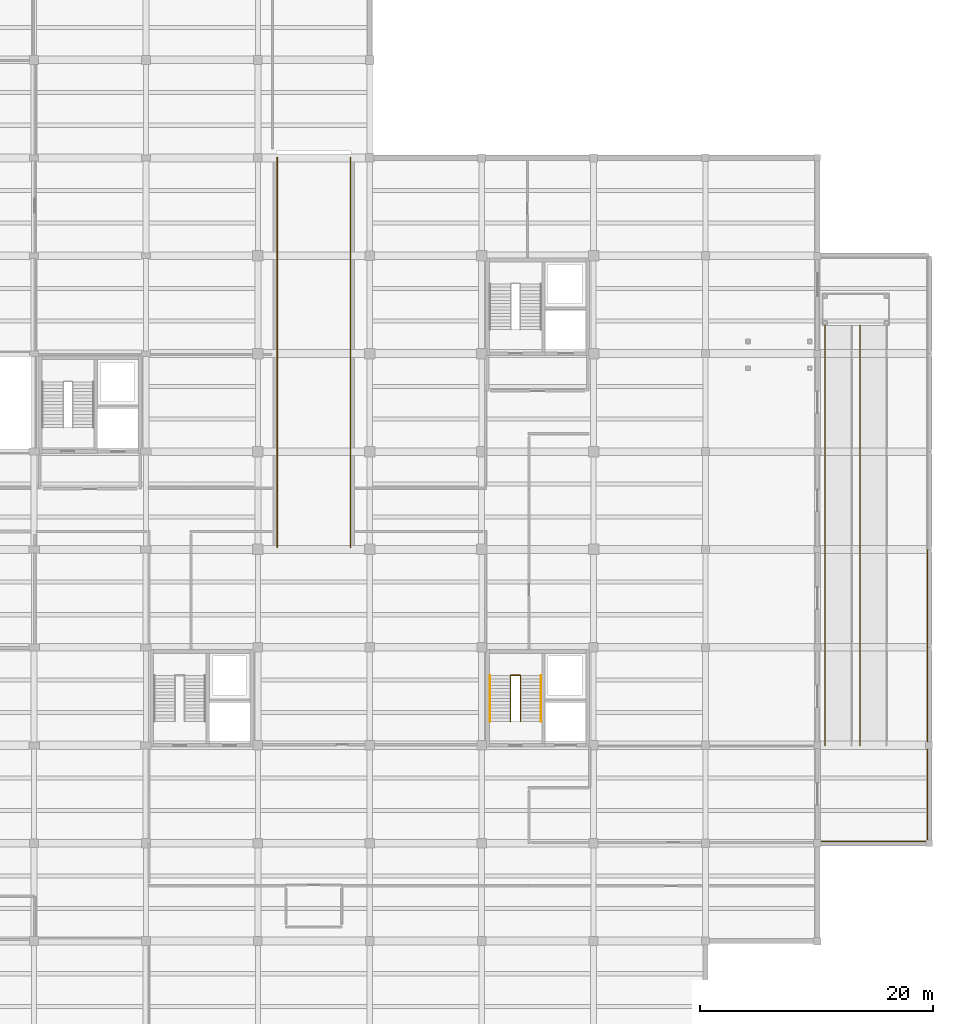
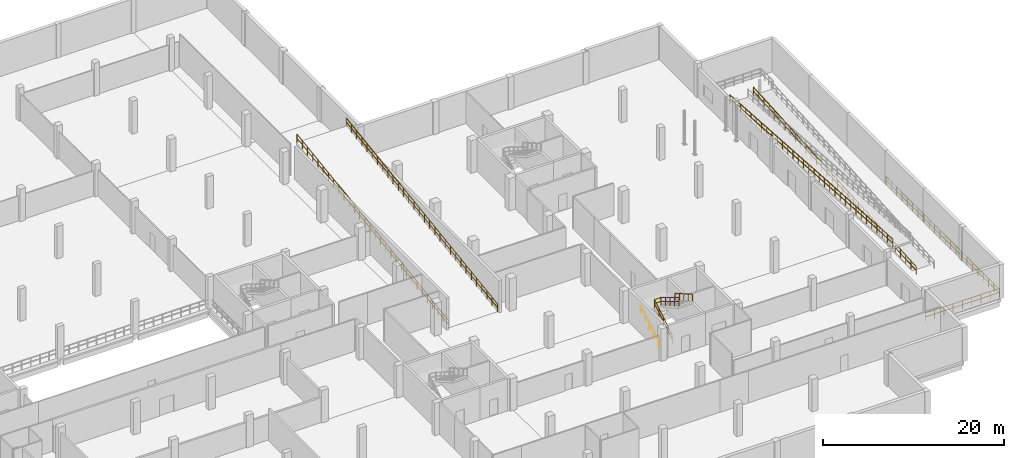
# One storey, part 29 of 30: 13 railings.
"""IFC4 building model written with IfcOpenShell, lengths in metres."""

from ifc_helpers import new_model, si_unit, direction, frame, origin, origin_2d, place, context, subcontext, project, spatial, circle, extrude, material, layer, layer_set, type_object, element, save


model = new_model("IFC4")

# Units and contexts
model_context = context("Model", 3, precision=1e-05, world=origin(), true_north=direction((0.0, 1.0)))
body_context = subcontext(model_context, "Body", "Model", "MODEL_VIEW")
ifc_project = project(units=[si_unit("LENGTHUNIT", "METRE"), si_unit("AREAUNIT", "SQUARE_METRE"), si_unit("VOLUMEUNIT", "CUBIC_METRE"), si_unit("PLANEANGLEUNIT", "RADIAN"), si_unit("MASSUNIT", "GRAM", prefix="KILO")], contexts=[model_context])

# Site, building, storey
site_placement = place(None, origin())
site = spatial("IfcSite", under=ifc_project, at=site_placement, CompositionType="ELEMENT")
building_placement = place(site_placement, origin())
building = spatial("IfcBuilding", under=site, at=building_placement, Name="Lornevale Opera House", CompositionType="ELEMENT")
storey_placement = place(building_placement, frame((0.0, 0.0, -4.800048828125)))
storey = spatial("IfcBuildingStorey", under=building, at=storey_placement, Name="B1", CompositionType="ELEMENT", Elevation=-4.800048828125)

# Railings
ifc_material = material(Name="Structural Steel CSA G40.21 Grade 350W (350 MPa)", Category="steel")
ifc_layer_1 = layer(ifc_material, 0.050048828125)
ifc_layer_set_1 = layer_set([ifc_layer_1], Name="Structural Steel CSA G40.21 Grade 350W (350 MPa)")
railing_type_1 = type_object("IfcRailingType", Name="Stair Well Guardrail 1100", PredefinedType="GUARDRAIL", material=ifc_layer_set_1)
railing_1_placement = place(storey_placement, frame((136.8798828125, 35.659912109375, 0.0)))
element("IfcRailing", 1, at=railing_1_placement, inside=storey, type_object=railing_type_1, Name="ST-36 Inner Well Guard F1", PredefinedType="GUARDRAIL", context=body_context, shape_type="SweptSolid", body=[
    extrude(circle(Radius=0.02392578125, at=origin_2d()), frame((0.0, 0.0, 1.076171875), z_axis=(0.0, 0.852846959695, 0.522160955394), x_axis=(-1.0, 0.0, 0.0)), (0.0, 0.0, 1.0), 4.5966796875),
    extrude(circle(Radius=0.02392578125, at=origin_2d()), frame((0.0, 0.0, 0.550048828125), z_axis=(0.0, 0.852846959695, 0.522160955394), x_axis=(-1.0, 0.0, 0.0)), (0.0, 0.0, 1.0), 4.5966796875),
    extrude(circle(Radius=0.02099609375, at=origin_2d()), origin(), (0.0, 0.0, 1.0), 1.052001953125),
    extrude(circle(Radius=0.02099609375, at=origin_2d()), frame((0.0, 0.97998046875, 0.60009765625)), (0.0, 0.0, 1.0), 1.052001953125),
    extrude(circle(Radius=0.02099609375, at=origin_2d()), frame((0.0, 1.9599609375, 1.2001953125)), (0.0, 0.0, 1.0), 1.052001953125),
    extrude(circle(Radius=0.02099609375, at=origin_2d()), frame((0.0, 2.940185546875, 1.800048828125)), (0.0, 0.0, 1.0), 1.052001953125),
    extrude(circle(Radius=0.02099609375, at=origin_2d()), frame((0.0, 3.920166015625, 2.400146484375)), (0.0, 0.0, 1.0), 1.052001953125),
])
railing_2_placement = place(storey_placement, frame((137.719970703125, 39.580078125, 2.400146484375)))
element("IfcRailing", 2, at=railing_2_placement, inside=storey, type_object=railing_type_1, Name="ST-36 Inner Well Guard F2", PredefinedType="GUARDRAIL", context=body_context, shape_type="SweptSolid", body=[
    extrude(circle(Radius=0.02392578125, at=origin_2d()), frame((0.0, 0.0, 1.076171875), z_axis=(0.0, -0.852870612257, 0.522122321634), x_axis=(1.0, 0.0, 0.0)), (0.0, 0.0, 1.0), 4.596435546875),
    extrude(circle(Radius=0.02392578125, at=origin_2d()), frame((0.0, 0.0, 0.550048828125), z_axis=(0.0, -0.852870612257, 0.522122321634), x_axis=(1.0, 0.0, 0.0)), (0.0, 0.0, 1.0), 4.596435546875),
    extrude(circle(Radius=0.02099609375, at=origin_2d()), origin(), (0.0, 0.0, 1.0), 1.052001953125),
    extrude(circle(Radius=0.02099609375, at=origin_2d()), frame((0.0, -0.97998046875, 0.60009765625)), (0.0, 0.0, 1.0), 1.052001953125),
    extrude(circle(Radius=0.02099609375, at=origin_2d()), frame((0.0, -1.9599609375, 1.199951171875)), (0.0, 0.0, 1.0), 1.052001953125),
    extrude(circle(Radius=0.02099609375, at=origin_2d()), frame((0.0, -2.940185546875, 1.7998046875)), (0.0, 0.0, 1.0), 1.052001953125),
    extrude(circle(Radius=0.02099609375, at=origin_2d()), frame((0.0, -3.920166015625, 2.39990234375)), (0.0, 0.0, 1.0), 1.052001953125),
])
railing_3_placement = place(storey_placement, frame((136.8798828125, 39.610107421875, 2.400146484375)))
element("IfcRailing", 3, at=railing_3_placement, inside=storey, type_object=railing_type_1, Name="ST-36 Half-Landing Slot Guard", PredefinedType="GUARDRAIL", context=body_context, shape_type="SweptSolid", body=[
    extrude(circle(Radius=0.02392578125, at=origin_2d()), frame((0.0, 0.0, 1.076171875), z_axis=(1.0, 0.0, 0.0), x_axis=(0.0, 1.0, 0.0)), (0.0, 0.0, 1.0), 0.840087890625),
    extrude(circle(Radius=0.02392578125, at=origin_2d()), frame((0.0, 0.0, 0.550048828125), z_axis=(1.0, 0.0, 0.0), x_axis=(0.0, 1.0, 0.0)), (0.0, 0.0, 1.0), 0.840087890625),
    extrude(circle(Radius=0.02099609375, at=origin_2d()), origin(), (0.0, 0.0, 1.0), 1.052001953125),
    extrude(circle(Radius=0.02099609375, at=origin_2d()), frame((0.840087890625, 0.0, 0.0)), (0.0, 0.0, 1.0), 1.052001953125),
])
ifc_layer_2 = layer(ifc_material, 0.06005859375)
ifc_layer_set_2 = layer_set([ifc_layer_2], Name="Structural Steel CSA G40.21 Grade 350W (350 MPa)")
railing_type_2 = type_object("IfcRailingType", Name="Terrace Tubular Guardrail 1120", PredefinedType="GUARDRAIL", material=ifc_layer_set_2)
railing_4_placement = place(storey_placement, frame((123.139892578125, 50.580078125, 0.0)))
element("IfcRailing", 4, at=railing_4_placement, inside=storey, type_object=railing_type_2, Name="RP-02 Ramp Guardrail 0227", PredefinedType="GUARDRAIL", context=body_context, shape_type="SweptSolid", body=[
    extrude(circle(Radius=0.02392578125, at=origin_2d()), frame((0.0, 0.0, 1.09619140625), z_axis=(0.0, 0.989866263485, 0.142002747909), x_axis=(-1.0, 0.0, 0.0)), (0.0, 0.0, 1.0), 33.802490234375),
    extrude(circle(Radius=0.02392578125, at=origin_2d()), frame((0.0, 0.0, 0.56005859375), z_axis=(0.0, 0.989866263485, 0.142002747909), x_axis=(-1.0, 0.0, 0.0)), (0.0, 0.0, 1.0), 33.802490234375),
    extrude(circle(Radius=0.02099609375, at=origin_2d()), origin(), (0.0, 0.0, 1.0), 1.072021484375),
    extrude(circle(Radius=0.02099609375, at=origin_2d()), frame((0.0, 1.15380859375, 0.16552734375)), (0.0, 0.0, 1.0), 1.072021484375),
    extrude(circle(Radius=0.02099609375, at=origin_2d()), frame((0.0, 2.3076171875, 0.3310546875)), (0.0, 0.0, 1.0), 1.072021484375),
    extrude(circle(Radius=0.02099609375, at=origin_2d()), frame((0.0, 3.46142578125, 0.49658203125)), (0.0, 0.0, 1.0), 1.072021484375),
    extrude(circle(Radius=0.02099609375, at=origin_2d()), frame((0.0, 4.615234375, 0.662109375)), (0.0, 0.0, 1.0), 1.072021484375),
    extrude(circle(Radius=0.02099609375, at=origin_2d()), frame((0.0, 5.76904296875, 0.82763671875)), (0.0, 0.0, 1.0), 1.072021484375),
    extrude(circle(Radius=0.02099609375, at=origin_2d()), frame((0.0, 6.9228515625, 0.9931640625)), (0.0, 0.0, 1.0), 1.072021484375),
    extrude(circle(Radius=0.02099609375, at=origin_2d()), frame((0.0, 8.07666015625, 1.15869140625)), (0.0, 0.0, 1.0), 1.072021484375),
    extrude(circle(Radius=0.02099609375, at=origin_2d()), frame((0.0, 9.230224609375, 1.32421875)), (0.0, 0.0, 1.0), 1.072021484375),
    extrude(circle(Radius=0.02099609375, at=origin_2d()), frame((0.0, 10.384033203125, 1.48974609375)), (0.0, 0.0, 1.0), 1.072021484375),
    extrude(circle(Radius=0.02099609375, at=origin_2d()), frame((0.0, 11.537841796875, 1.6552734375)), (0.0, 0.0, 1.0), 1.072021484375),
    extrude(circle(Radius=0.02099609375, at=origin_2d()), frame((0.0, 12.691650390625, 1.82080078125)), (0.0, 0.0, 1.0), 1.072021484375),
    extrude(circle(Radius=0.02099609375, at=origin_2d()), frame((0.0, 13.845458984375, 1.986328125)), (0.0, 0.0, 1.0), 1.072021484375),
    extrude(circle(Radius=0.02099609375, at=origin_2d()), frame((0.0, 14.999267578125, 2.15185546875)), (0.0, 0.0, 1.0), 1.072021484375),
    extrude(circle(Radius=0.02099609375, at=origin_2d()), frame((0.0, 16.153076171875, 2.3173828125)), (0.0, 0.0, 1.0), 1.072021484375),
    extrude(circle(Radius=0.02099609375, at=origin_2d()), frame((0.0, 17.306884765625, 2.482666015625)), (0.0, 0.0, 1.0), 1.072021484375),
    extrude(circle(Radius=0.02099609375, at=origin_2d()), frame((0.0, 18.460693359375, 2.648193359375)), (0.0, 0.0, 1.0), 1.072021484375),
    extrude(circle(Radius=0.02099609375, at=origin_2d()), frame((0.0, 19.614501953125, 2.813720703125)), (0.0, 0.0, 1.0), 1.072021484375),
    extrude(circle(Radius=0.02099609375, at=origin_2d()), frame((0.0, 20.768310546875, 2.979248046875)), (0.0, 0.0, 1.0), 1.072021484375),
    extrude(circle(Radius=0.02099609375, at=origin_2d()), frame((0.0, 21.922119140625, 3.144775390625)), (0.0, 0.0, 1.0), 1.072021484375),
    extrude(circle(Radius=0.02099609375, at=origin_2d()), frame((0.0, 23.075927734375, 3.310302734375)), (0.0, 0.0, 1.0), 1.072021484375),
    extrude(circle(Radius=0.02099609375, at=origin_2d()), frame((0.0, 24.229736328125, 3.475830078125)), (0.0, 0.0, 1.0), 1.072021484375),
    extrude(circle(Radius=0.02099609375, at=origin_2d()), frame((0.0, 25.38330078125, 3.641357421875)), (0.0, 0.0, 1.0), 1.072021484375),
    extrude(circle(Radius=0.02099609375, at=origin_2d()), frame((0.0, 26.537109375, 3.806884765625)), (0.0, 0.0, 1.0), 1.072021484375),
    extrude(circle(Radius=0.02099609375, at=origin_2d()), frame((0.0, 27.69091796875, 3.972412109375)), (0.0, 0.0, 1.0), 1.072021484375),
    extrude(circle(Radius=0.02099609375, at=origin_2d()), frame((0.0, 28.8447265625, 4.137939453125)), (0.0, 0.0, 1.0), 1.072021484375),
    extrude(circle(Radius=0.02099609375, at=origin_2d()), frame((0.0, 29.99853515625, 4.303466796875)), (0.0, 0.0, 1.0), 1.072021484375),
    extrude(circle(Radius=0.02099609375, at=origin_2d()), frame((0.0, 31.15234375, 4.468994140625)), (0.0, 0.0, 1.0), 1.072021484375),
    extrude(circle(Radius=0.02099609375, at=origin_2d()), frame((0.0, 32.30615234375, 4.634521484375)), (0.0, 0.0, 1.0), 1.072021484375),
    extrude(circle(Radius=0.02099609375, at=origin_2d()), frame((0.0, 33.4599609375, 4.800048828125)), (0.0, 0.0, 1.0), 1.072021484375),
])
railing_5_placement = place(storey_placement, frame((116.860107421875, 50.580078125, 0.0)))
element("IfcRailing", 5, at=railing_5_placement, inside=storey, type_object=railing_type_2, Name="RP-02 Ramp Guardrail 0228", PredefinedType="GUARDRAIL", context=body_context, shape_type="SweptSolid", body=[
    extrude(circle(Radius=0.02392578125, at=origin_2d()), frame((0.0, 0.0, 1.09619140625), z_axis=(0.0, 0.989866263485, 0.142002747909), x_axis=(-1.0, 0.0, 0.0)), (0.0, 0.0, 1.0), 33.802490234375),
    extrude(circle(Radius=0.02392578125, at=origin_2d()), frame((0.0, 0.0, 0.56005859375), z_axis=(0.0, 0.989866263485, 0.142002747909), x_axis=(-1.0, 0.0, 0.0)), (0.0, 0.0, 1.0), 33.802490234375),
    extrude(circle(Radius=0.02099609375, at=origin_2d()), origin(), (0.0, 0.0, 1.0), 1.072021484375),
    extrude(circle(Radius=0.02099609375, at=origin_2d()), frame((0.0, 1.15380859375, 0.16552734375)), (0.0, 0.0, 1.0), 1.072021484375),
    extrude(circle(Radius=0.02099609375, at=origin_2d()), frame((0.0, 2.3076171875, 0.3310546875)), (0.0, 0.0, 1.0), 1.072021484375),
    extrude(circle(Radius=0.02099609375, at=origin_2d()), frame((0.0, 3.46142578125, 0.49658203125)), (0.0, 0.0, 1.0), 1.072021484375),
    extrude(circle(Radius=0.02099609375, at=origin_2d()), frame((0.0, 4.615234375, 0.662109375)), (0.0, 0.0, 1.0), 1.072021484375),
    extrude(circle(Radius=0.02099609375, at=origin_2d()), frame((0.0, 5.76904296875, 0.82763671875)), (0.0, 0.0, 1.0), 1.072021484375),
    extrude(circle(Radius=0.02099609375, at=origin_2d()), frame((0.0, 6.9228515625, 0.9931640625)), (0.0, 0.0, 1.0), 1.072021484375),
    extrude(circle(Radius=0.02099609375, at=origin_2d()), frame((0.0, 8.07666015625, 1.15869140625)), (0.0, 0.0, 1.0), 1.072021484375),
    extrude(circle(Radius=0.02099609375, at=origin_2d()), frame((0.0, 9.230224609375, 1.32421875)), (0.0, 0.0, 1.0), 1.072021484375),
    extrude(circle(Radius=0.02099609375, at=origin_2d()), frame((0.0, 10.384033203125, 1.48974609375)), (0.0, 0.0, 1.0), 1.072021484375),
    extrude(circle(Radius=0.02099609375, at=origin_2d()), frame((0.0, 11.537841796875, 1.6552734375)), (0.0, 0.0, 1.0), 1.072021484375),
    extrude(circle(Radius=0.02099609375, at=origin_2d()), frame((0.0, 12.691650390625, 1.82080078125)), (0.0, 0.0, 1.0), 1.072021484375),
    extrude(circle(Radius=0.02099609375, at=origin_2d()), frame((0.0, 13.845458984375, 1.986328125)), (0.0, 0.0, 1.0), 1.072021484375),
    extrude(circle(Radius=0.02099609375, at=origin_2d()), frame((0.0, 14.999267578125, 2.15185546875)), (0.0, 0.0, 1.0), 1.072021484375),
    extrude(circle(Radius=0.02099609375, at=origin_2d()), frame((0.0, 16.153076171875, 2.3173828125)), (0.0, 0.0, 1.0), 1.072021484375),
    extrude(circle(Radius=0.02099609375, at=origin_2d()), frame((0.0, 17.306884765625, 2.482666015625)), (0.0, 0.0, 1.0), 1.072021484375),
    extrude(circle(Radius=0.02099609375, at=origin_2d()), frame((0.0, 18.460693359375, 2.648193359375)), (0.0, 0.0, 1.0), 1.072021484375),
    extrude(circle(Radius=0.02099609375, at=origin_2d()), frame((0.0, 19.614501953125, 2.813720703125)), (0.0, 0.0, 1.0), 1.072021484375),
    extrude(circle(Radius=0.02099609375, at=origin_2d()), frame((0.0, 20.768310546875, 2.979248046875)), (0.0, 0.0, 1.0), 1.072021484375),
    extrude(circle(Radius=0.02099609375, at=origin_2d()), frame((0.0, 21.922119140625, 3.144775390625)), (0.0, 0.0, 1.0), 1.072021484375),
    extrude(circle(Radius=0.02099609375, at=origin_2d()), frame((0.0, 23.075927734375, 3.310302734375)), (0.0, 0.0, 1.0), 1.072021484375),
    extrude(circle(Radius=0.02099609375, at=origin_2d()), frame((0.0, 24.229736328125, 3.475830078125)), (0.0, 0.0, 1.0), 1.072021484375),
    extrude(circle(Radius=0.02099609375, at=origin_2d()), frame((0.0, 25.38330078125, 3.641357421875)), (0.0, 0.0, 1.0), 1.072021484375),
    extrude(circle(Radius=0.02099609375, at=origin_2d()), frame((0.0, 26.537109375, 3.806884765625)), (0.0, 0.0, 1.0), 1.072021484375),
    extrude(circle(Radius=0.02099609375, at=origin_2d()), frame((0.0, 27.69091796875, 3.972412109375)), (0.0, 0.0, 1.0), 1.072021484375),
    extrude(circle(Radius=0.02099609375, at=origin_2d()), frame((0.0, 28.8447265625, 4.137939453125)), (0.0, 0.0, 1.0), 1.072021484375),
    extrude(circle(Radius=0.02099609375, at=origin_2d()), frame((0.0, 29.99853515625, 4.303466796875)), (0.0, 0.0, 1.0), 1.072021484375),
    extrude(circle(Radius=0.02099609375, at=origin_2d()), frame((0.0, 31.15234375, 4.468994140625)), (0.0, 0.0, 1.0), 1.072021484375),
    extrude(circle(Radius=0.02099609375, at=origin_2d()), frame((0.0, 32.30615234375, 4.634521484375)), (0.0, 0.0, 1.0), 1.072021484375),
    extrude(circle(Radius=0.02099609375, at=origin_2d()), frame((0.0, 33.4599609375, 4.800048828125)), (0.0, 0.0, 1.0), 1.072021484375),
])
railing_6_placement = place(storey_placement, frame((166.860107421875, 33.580078125, 0.0)))
element("IfcRailing", 6, at=railing_6_placement, inside=storey, type_object=railing_type_2, Name="RP-03 Ramp Guardrail 0230", PredefinedType="GUARDRAIL", context=body_context, shape_type="SweptSolid", body=[
    extrude(circle(Radius=0.02392578125, at=origin_2d()), frame((0.0, 0.0, 1.09619140625), z_axis=(0.0, 0.997789791153, 0.066449474575), x_axis=(-1.0, 0.0, 0.0)), (0.0, 0.0, 1.0), 36.119873046875),
    extrude(circle(Radius=0.02392578125, at=origin_2d()), frame((0.0, 0.0, 0.56005859375), z_axis=(0.0, 0.997789791153, 0.066449474575), x_axis=(-1.0, 0.0, 0.0)), (0.0, 0.0, 1.0), 36.119873046875),
    extrude(circle(Radius=0.02099609375, at=origin_2d()), origin(), (0.0, 0.0, 1.0), 1.072021484375),
    extrude(circle(Radius=0.02099609375, at=origin_2d()), frame((0.0, 1.16259765625, 0.077392578125)), (0.0, 0.0, 1.0), 1.072021484375),
    extrude(circle(Radius=0.02099609375, at=origin_2d()), frame((0.0, 2.3251953125, 0.15478515625)), (0.0, 0.0, 1.0), 1.072021484375),
    extrude(circle(Radius=0.02099609375, at=origin_2d()), frame((0.0, 3.48779296875, 0.232177734375)), (0.0, 0.0, 1.0), 1.072021484375),
    extrude(circle(Radius=0.02099609375, at=origin_2d()), frame((0.0, 4.650390625, 0.309814453125)), (0.0, 0.0, 1.0), 1.072021484375),
    extrude(circle(Radius=0.02099609375, at=origin_2d()), frame((0.0, 5.81298828125, 0.38720703125)), (0.0, 0.0, 1.0), 1.072021484375),
    extrude(circle(Radius=0.02099609375, at=origin_2d()), frame((0.0, 6.9755859375, 0.464599609375)), (0.0, 0.0, 1.0), 1.072021484375),
    extrude(circle(Radius=0.02099609375, at=origin_2d()), frame((0.0, 8.13818359375, 0.5419921875)), (0.0, 0.0, 1.0), 1.072021484375),
    extrude(circle(Radius=0.02099609375, at=origin_2d()), frame((0.0, 9.300537109375, 0.619384765625)), (0.0, 0.0, 1.0), 1.072021484375),
    extrude(circle(Radius=0.02099609375, at=origin_2d()), frame((0.0, 10.463134765625, 0.69677734375)), (0.0, 0.0, 1.0), 1.072021484375),
    extrude(circle(Radius=0.02099609375, at=origin_2d()), frame((0.0, 11.625732421875, 0.774169921875)), (0.0, 0.0, 1.0), 1.072021484375),
    extrude(circle(Radius=0.02099609375, at=origin_2d()), frame((0.0, 12.788330078125, 0.8515625)), (0.0, 0.0, 1.0), 1.072021484375),
    extrude(circle(Radius=0.02099609375, at=origin_2d()), frame((0.0, 13.950927734375, 0.92919921875)), (0.0, 0.0, 1.0), 1.072021484375),
    extrude(circle(Radius=0.02099609375, at=origin_2d()), frame((0.0, 15.113525390625, 1.006591796875)), (0.0, 0.0, 1.0), 1.072021484375),
    extrude(circle(Radius=0.02099609375, at=origin_2d()), frame((0.0, 16.276123046875, 1.083984375)), (0.0, 0.0, 1.0), 1.072021484375),
    extrude(circle(Radius=0.02099609375, at=origin_2d()), frame((0.0, 17.438720703125, 1.161376953125)), (0.0, 0.0, 1.0), 1.072021484375),
    extrude(circle(Radius=0.02099609375, at=origin_2d()), frame((0.0, 18.601318359375, 1.23876953125)), (0.0, 0.0, 1.0), 1.072021484375),
    extrude(circle(Radius=0.02099609375, at=origin_2d()), frame((0.0, 19.763916015625, 1.316162109375)), (0.0, 0.0, 1.0), 1.072021484375),
    extrude(circle(Radius=0.02099609375, at=origin_2d()), frame((0.0, 20.926513671875, 1.3935546875)), (0.0, 0.0, 1.0), 1.072021484375),
    extrude(circle(Radius=0.02099609375, at=origin_2d()), frame((0.0, 22.089111328125, 1.470947265625)), (0.0, 0.0, 1.0), 1.072021484375),
    extrude(circle(Radius=0.02099609375, at=origin_2d()), frame((0.0, 23.251708984375, 1.548583984375)), (0.0, 0.0, 1.0), 1.072021484375),
    extrude(circle(Radius=0.02099609375, at=origin_2d()), frame((0.0, 24.414306640625, 1.6259765625)), (0.0, 0.0, 1.0), 1.072021484375),
    extrude(circle(Radius=0.02099609375, at=origin_2d()), frame((0.0, 25.576904296875, 1.703369140625)), (0.0, 0.0, 1.0), 1.072021484375),
    extrude(circle(Radius=0.02099609375, at=origin_2d()), frame((0.0, 26.739501953125, 1.78076171875)), (0.0, 0.0, 1.0), 1.072021484375),
    extrude(circle(Radius=0.02099609375, at=origin_2d()), frame((0.0, 27.90185546875, 1.858154296875)), (0.0, 0.0, 1.0), 1.072021484375),
    extrude(circle(Radius=0.02099609375, at=origin_2d()), frame((0.0, 29.064453125, 1.935546875)), (0.0, 0.0, 1.0), 1.072021484375),
    extrude(circle(Radius=0.02099609375, at=origin_2d()), frame((0.0, 30.22705078125, 2.012939453125)), (0.0, 0.0, 1.0), 1.072021484375),
    extrude(circle(Radius=0.02099609375, at=origin_2d()), frame((0.0, 31.3896484375, 2.09033203125)), (0.0, 0.0, 1.0), 1.072021484375),
    extrude(circle(Radius=0.02099609375, at=origin_2d()), frame((0.0, 32.55224609375, 2.16796875)), (0.0, 0.0, 1.0), 1.072021484375),
    extrude(circle(Radius=0.02099609375, at=origin_2d()), frame((0.0, 33.71484375, 2.245361328125)), (0.0, 0.0, 1.0), 1.072021484375),
    extrude(circle(Radius=0.02099609375, at=origin_2d()), frame((0.0, 34.87744140625, 2.32275390625)), (0.0, 0.0, 1.0), 1.072021484375),
    extrude(circle(Radius=0.02099609375, at=origin_2d()), frame((0.0, 36.0400390625, 2.400146484375)), (0.0, 0.0, 1.0), 1.072021484375),
])
railing_7_placement = place(storey_placement, frame((163.860107421875, 69.6201171875, 2.400146484375)))
element("IfcRailing", 7, at=railing_7_placement, inside=storey, type_object=railing_type_2, Name="RP-04 Ramp Guardrail 0231", PredefinedType="GUARDRAIL", context=body_context, shape_type="SweptSolid", body=[
    extrude(circle(Radius=0.02392578125, at=origin_2d()), frame((0.0, 0.0, 1.09619140625), z_axis=(0.0, -0.997790239281, 0.066442745239), x_axis=(1.0, 0.0, 0.0)), (0.0, 0.0, 1.0), 36.119873046875),
    extrude(circle(Radius=0.02392578125, at=origin_2d()), frame((0.0, 0.0, 0.56005859375), z_axis=(0.0, -0.997790239281, 0.066442745239), x_axis=(1.0, 0.0, 0.0)), (0.0, 0.0, 1.0), 36.119873046875),
    extrude(circle(Radius=0.02099609375, at=origin_2d()), origin(), (0.0, 0.0, 1.0), 1.072021484375),
    extrude(circle(Radius=0.02099609375, at=origin_2d()), frame((0.0, -1.16259765625, 0.077392578125)), (0.0, 0.0, 1.0), 1.072021484375),
    extrude(circle(Radius=0.02099609375, at=origin_2d()), frame((0.0, -2.3251953125, 0.15478515625)), (0.0, 0.0, 1.0), 1.072021484375),
    extrude(circle(Radius=0.02099609375, at=origin_2d()), frame((0.0, -3.48779296875, 0.232177734375)), (0.0, 0.0, 1.0), 1.072021484375),
    extrude(circle(Radius=0.02099609375, at=origin_2d()), frame((0.0, -4.650390625, 0.3095703125)), (0.0, 0.0, 1.0), 1.072021484375),
    extrude(circle(Radius=0.02099609375, at=origin_2d()), frame((0.0, -5.81298828125, 0.386962890625)), (0.0, 0.0, 1.0), 1.072021484375),
    extrude(circle(Radius=0.02099609375, at=origin_2d()), frame((0.0, -6.9755859375, 0.464599609375)), (0.0, 0.0, 1.0), 1.072021484375),
    extrude(circle(Radius=0.02099609375, at=origin_2d()), frame((0.0, -8.13818359375, 0.5419921875)), (0.0, 0.0, 1.0), 1.072021484375),
    extrude(circle(Radius=0.02099609375, at=origin_2d()), frame((0.0, -9.300537109375, 0.619384765625)), (0.0, 0.0, 1.0), 1.072021484375),
    extrude(circle(Radius=0.02099609375, at=origin_2d()), frame((0.0, -10.463134765625, 0.69677734375)), (0.0, 0.0, 1.0), 1.072021484375),
    extrude(circle(Radius=0.02099609375, at=origin_2d()), frame((0.0, -11.625732421875, 0.774169921875)), (0.0, 0.0, 1.0), 1.072021484375),
    extrude(circle(Radius=0.02099609375, at=origin_2d()), frame((0.0, -12.788330078125, 0.8515625)), (0.0, 0.0, 1.0), 1.072021484375),
    extrude(circle(Radius=0.02099609375, at=origin_2d()), frame((0.0, -13.950927734375, 0.928955078125)), (0.0, 0.0, 1.0), 1.072021484375),
    extrude(circle(Radius=0.02099609375, at=origin_2d()), frame((0.0, -15.113525390625, 1.00634765625)), (0.0, 0.0, 1.0), 1.072021484375),
    extrude(circle(Radius=0.02099609375, at=origin_2d()), frame((0.0, -16.276123046875, 1.083740234375)), (0.0, 0.0, 1.0), 1.072021484375),
    extrude(circle(Radius=0.02099609375, at=origin_2d()), frame((0.0, -17.438720703125, 1.1611328125)), (0.0, 0.0, 1.0), 1.072021484375),
    extrude(circle(Radius=0.02099609375, at=origin_2d()), frame((0.0, -18.601318359375, 1.23876953125)), (0.0, 0.0, 1.0), 1.072021484375),
    extrude(circle(Radius=0.02099609375, at=origin_2d()), frame((0.0, -19.763916015625, 1.316162109375)), (0.0, 0.0, 1.0), 1.072021484375),
    extrude(circle(Radius=0.02099609375, at=origin_2d()), frame((0.0, -20.926513671875, 1.3935546875)), (0.0, 0.0, 1.0), 1.072021484375),
    extrude(circle(Radius=0.02099609375, at=origin_2d()), frame((0.0, -22.089111328125, 1.470947265625)), (0.0, 0.0, 1.0), 1.072021484375),
    extrude(circle(Radius=0.02099609375, at=origin_2d()), frame((0.0, -23.251708984375, 1.54833984375)), (0.0, 0.0, 1.0), 1.072021484375),
    extrude(circle(Radius=0.02099609375, at=origin_2d()), frame((0.0, -24.414306640625, 1.625732421875)), (0.0, 0.0, 1.0), 1.072021484375),
    extrude(circle(Radius=0.02099609375, at=origin_2d()), frame((0.0, -25.576904296875, 1.703125)), (0.0, 0.0, 1.0), 1.072021484375),
    extrude(circle(Radius=0.02099609375, at=origin_2d()), frame((0.0, -26.739501953125, 1.780517578125)), (0.0, 0.0, 1.0), 1.072021484375),
    extrude(circle(Radius=0.02099609375, at=origin_2d()), frame((0.0, -27.90185546875, 1.85791015625)), (0.0, 0.0, 1.0), 1.072021484375),
    extrude(circle(Radius=0.02099609375, at=origin_2d()), frame((0.0, -29.064453125, 1.935302734375)), (0.0, 0.0, 1.0), 1.072021484375),
    extrude(circle(Radius=0.02099609375, at=origin_2d()), frame((0.0, -30.22705078125, 2.012939453125)), (0.0, 0.0, 1.0), 1.072021484375),
    extrude(circle(Radius=0.02099609375, at=origin_2d()), frame((0.0, -31.3896484375, 2.09033203125)), (0.0, 0.0, 1.0), 1.072021484375),
    extrude(circle(Radius=0.02099609375, at=origin_2d()), frame((0.0, -32.55224609375, 2.167724609375)), (0.0, 0.0, 1.0), 1.072021484375),
    extrude(circle(Radius=0.02099609375, at=origin_2d()), frame((0.0, -33.71484375, 2.2451171875)), (0.0, 0.0, 1.0), 1.072021484375),
    extrude(circle(Radius=0.02099609375, at=origin_2d()), frame((0.0, -34.87744140625, 2.322509765625)), (0.0, 0.0, 1.0), 1.072021484375),
    extrude(circle(Radius=0.02099609375, at=origin_2d()), frame((0.0, -36.0400390625, 2.39990234375)), (0.0, 0.0, 1.0), 1.072021484375),
])
railing_8_placement = place(storey_placement, frame((163.25, 25.340087890625, 0.0)))
element("IfcRailing", 8, at=railing_8_placement, inside=storey, type_object=railing_type_2, Name="Terrace Perimeter Guard B1 0243", PredefinedType="GUARDRAIL", context=body_context, shape_type="SweptSolid", body=[
    extrude(circle(Radius=0.02392578125, at=origin_2d()), frame((0.0, 0.0, 1.09619140625), z_axis=(1.0, 0.0, 0.0), x_axis=(0.0, 1.0, 0.0)), (0.0, 0.0, 1.0), 9.5),
    extrude(circle(Radius=0.02392578125, at=origin_2d()), frame((0.0, 0.0, 0.56005859375), z_axis=(1.0, 0.0, 0.0), x_axis=(0.0, 1.0, 0.0)), (0.0, 0.0, 1.0), 9.5),
    extrude(circle(Radius=0.02099609375, at=origin_2d()), origin(), (0.0, 0.0, 1.0), 1.072021484375),
    extrude(circle(Radius=0.02099609375, at=origin_2d()), frame((1.1875, 0.0, 0.0)), (0.0, 0.0, 1.0), 1.072021484375),
    extrude(circle(Radius=0.02099609375, at=origin_2d()), frame((2.375, 0.0, 0.0)), (0.0, 0.0, 1.0), 1.072021484375),
    extrude(circle(Radius=0.02099609375, at=origin_2d()), frame((3.5625, 0.0, 0.0)), (0.0, 0.0, 1.0), 1.072021484375),
    extrude(circle(Radius=0.02099609375, at=origin_2d()), frame((4.75, 0.0, 0.0)), (0.0, 0.0, 1.0), 1.072021484375),
    extrude(circle(Radius=0.02099609375, at=origin_2d()), frame((5.9375, 0.0, 0.0)), (0.0, 0.0, 1.0), 1.072021484375),
    extrude(circle(Radius=0.02099609375, at=origin_2d()), frame((7.125, 0.0, 0.0)), (0.0, 0.0, 1.0), 1.072021484375),
    extrude(circle(Radius=0.02099609375, at=origin_2d()), frame((8.3125, 0.0, 0.0)), (0.0, 0.0, 1.0), 1.072021484375),
    extrude(circle(Radius=0.02099609375, at=origin_2d()), frame((9.5, 0.0, 0.0)), (0.0, 0.0, 1.0), 1.072021484375),
])
for number, where, name in (
    (9, (172.659912109375, 25.25, 0.0), "Terrace Perimeter Guard B1 0244"),
    (10, (172.659912109375, 33.64990234375, 0.0), "Terrace Perimeter Guard B1 0245"),
    (11, (172.659912109375, 42.050048828125, 0.0), "Terrace Perimeter Guard B1 0246"),
):
    element("IfcRailing", number, at=place(storey_placement, frame(where)), inside=storey, type_object=railing_type_2, Name=name, PredefinedType="GUARDRAIL", context=body_context, shape_type="SweptSolid", body=[
        extrude(circle(Radius=0.02392578125, at=origin_2d()), frame((0.0, 0.0, 1.09619140625), z_axis=(0.0, 1.0, 0.0), x_axis=(-1.0, 0.0, 0.0)), (0.0, 0.0, 1.0), 8.300048828125),
        extrude(circle(Radius=0.02392578125, at=origin_2d()), frame((0.0, 0.0, 0.56005859375), z_axis=(0.0, 1.0, 0.0), x_axis=(-1.0, 0.0, 0.0)), (0.0, 0.0, 1.0), 8.300048828125),
        extrude(circle(Radius=0.02099609375, at=origin_2d()), origin(), (0.0, 0.0, 1.0), 1.072021484375),
        extrude(circle(Radius=0.02099609375, at=origin_2d()), frame((0.0, 1.185791015625, 0.0)), (0.0, 0.0, 1.0), 1.072021484375),
        extrude(circle(Radius=0.02099609375, at=origin_2d()), frame((0.0, 2.371337890625, 0.0)), (0.0, 0.0, 1.0), 1.072021484375),
        extrude(circle(Radius=0.02099609375, at=origin_2d()), frame((0.0, 3.55712890625, 0.0)), (0.0, 0.0, 1.0), 1.072021484375),
        extrude(circle(Radius=0.02099609375, at=origin_2d()), frame((0.0, 4.742919921875, 0.0)), (0.0, 0.0, 1.0), 1.072021484375),
        extrude(circle(Radius=0.02099609375, at=origin_2d()), frame((0.0, 5.9287109375, 0.0)), (0.0, 0.0, 1.0), 1.072021484375),
        extrude(circle(Radius=0.02099609375, at=origin_2d()), frame((0.0, 7.1142578125, 0.0)), (0.0, 0.0, 1.0), 1.072021484375),
        extrude(circle(Radius=0.02099609375, at=origin_2d()), frame((0.0, 8.300048828125, 0.0)), (0.0, 0.0, 1.0), 1.072021484375),
    ])
ifc_layer_3 = layer(ifc_material, 0.048095703125)
ifc_layer_set_3 = layer_set([ifc_layer_3], Name="Structural Steel CSA G40.21 Grade 350W (350 MPa)")
railing_type_3 = type_object("IfcRailingType", Name="Tubular Stair Handrail 915", PredefinedType="HANDRAIL", material=ifc_layer_set_3)
railing_9_placement = place(storey_placement, frame((135.1201171875, 35.659912109375, 0.1630859375)))
element("IfcRailing", 12, at=railing_9_placement, inside=storey, type_object=railing_type_3, Name="ST-36 Outer Handrail F1", PredefinedType="HANDRAIL", context=body_context, shape_type="SweptSolid", body=[
    extrude(circle(Radius=0.02392578125, at=origin_2d()), frame((0.0, 0.0, 0.89111328125), z_axis=(0.0, 0.86825312469, 0.496121468458), x_axis=(-1.0, 0.0, 0.0)), (0.0, 0.0, 1.0), 4.514892578125),
    extrude(circle(Radius=0.02099609375, at=origin_2d()), origin(), (0.0, 0.0, 1.0), 0.866943359375),
    extrude(circle(Radius=0.02099609375, at=origin_2d()), frame((0.0, 0.97998046875, 0.56005859375)), (0.0, 0.0, 1.0), 0.866943359375),
    extrude(circle(Radius=0.02099609375, at=origin_2d()), frame((0.0, 1.9599609375, 1.1201171875)), (0.0, 0.0, 1.0), 0.866943359375),
    extrude(circle(Radius=0.02099609375, at=origin_2d()), frame((0.0, 2.940185546875, 1.679931640625)), (0.0, 0.0, 1.0), 0.866943359375),
    extrude(circle(Radius=0.02099609375, at=origin_2d()), frame((0.0, 3.920166015625, 2.239990234375)), (0.0, 0.0, 1.0), 0.866943359375),
])
railing_10_placement = place(storey_placement, frame((139.47998046875, 39.580078125, 2.56298828125)))
element("IfcRailing", 13, at=railing_10_placement, inside=storey, type_object=railing_type_3, Name="ST-36 Outer Handrail F2", PredefinedType="HANDRAIL", context=body_context, shape_type="SweptSolid", body=[
    extrude(circle(Radius=0.02392578125, at=origin_2d()), frame((0.0, 0.0, 0.89111328125), z_axis=(0.0, -0.86825312469, 0.496121468458), x_axis=(1.0, 0.0, 0.0)), (0.0, 0.0, 1.0), 4.514892578125),
    extrude(circle(Radius=0.02099609375, at=origin_2d()), origin(), (0.0, 0.0, 1.0), 0.866943359375),
    extrude(circle(Radius=0.02099609375, at=origin_2d()), frame((0.0, -0.97998046875, 0.56005859375)), (0.0, 0.0, 1.0), 0.866943359375),
    extrude(circle(Radius=0.02099609375, at=origin_2d()), frame((0.0, -1.9599609375, 1.1201171875)), (0.0, 0.0, 1.0), 0.866943359375),
    extrude(circle(Radius=0.02099609375, at=origin_2d()), frame((0.0, -2.940185546875, 1.679931640625)), (0.0, 0.0, 1.0), 0.866943359375),
    extrude(circle(Radius=0.02099609375, at=origin_2d()), frame((0.0, -3.920166015625, 2.239990234375)), (0.0, 0.0, 1.0), 0.866943359375),
])

save(model, "model.ifc")
